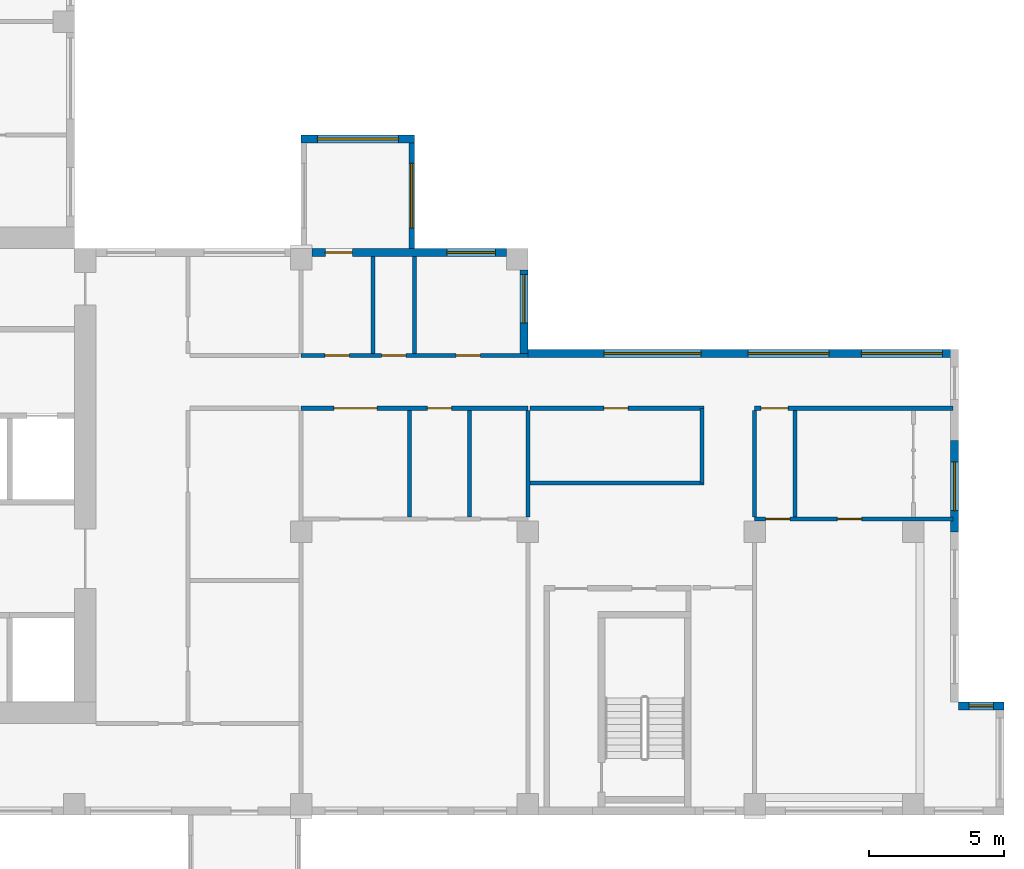
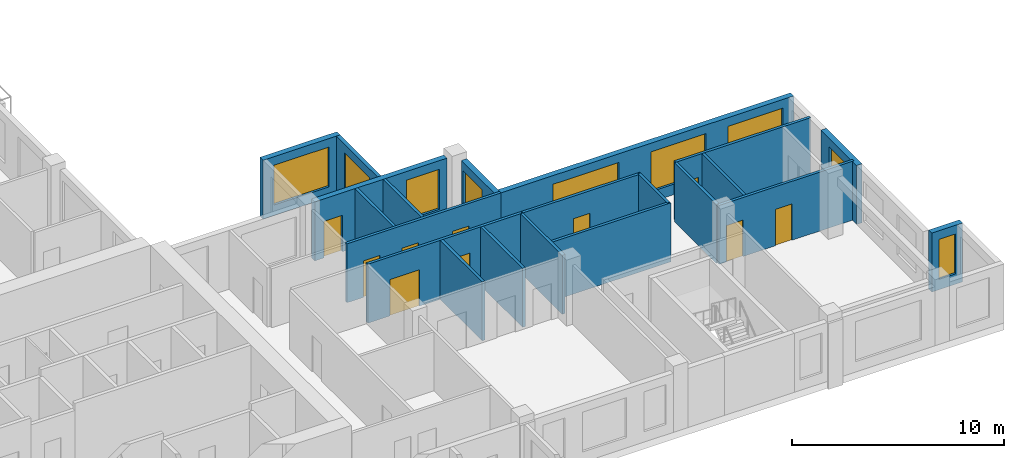
# One storey, part 7 of 14: 21 walls, 10 doors, 9 windows, 19 openings.
"""IFC4 building model written with IfcOpenShell, lengths in metres."""

from ifc_helpers import new_model, si_unit, direction, frame, frame_2d, origin, place, context, subcontext, project, spatial, rectangle, extrude, source, transform, mapped, material, layer, layer_set, type_object, element, fill, save


model = new_model("IFC4")

# Units and contexts
model_context = context("Model", 3, precision=1e-05, world=origin(), true_north=direction((0.0, 1.0)))
body_context = subcontext(model_context, "Body", "Model", "MODEL_VIEW")
ifc_project = project(units=[si_unit("LENGTHUNIT", "METRE"), si_unit("AREAUNIT", "SQUARE_METRE"), si_unit("VOLUMEUNIT", "CUBIC_METRE"), si_unit("PLANEANGLEUNIT", "RADIAN"), si_unit("MASSUNIT", "GRAM", prefix="KILO")], contexts=[model_context])

# Site, building, storey
site_placement = place(None, origin())
site = spatial("IfcSite", under=ifc_project, at=site_placement, CompositionType="ELEMENT")
building_placement = place(site_placement, origin())
building = spatial("IfcBuilding", under=site, at=building_placement, Name="Aurelian Terraces", CompositionType="ELEMENT")
storey_placement = place(building_placement, frame((0.0, 0.0, 231.0)))
storey = spatial("IfcBuildingStorey", under=building, at=storey_placement, Name="L52", CompositionType="ELEMENT", Elevation=231.0)

# Wall, opening, window
ifc_material_1 = material(Name="Terracotta rainscreen cladding", Category="masonry")
ifc_layer_1 = layer(ifc_material_1, 0.3)
ifc_layer_set_1 = layer_set([ifc_layer_1], Name="EW-300")
wall_type_1 = type_object("IfcWallType", Name="EW-300", PredefinedType="STANDARD", material=ifc_layer_set_1)
shared_shape_1 = source(origin(), body_context, "Body", "SweptSolid", [
    extrude(rectangle(XDim=1.68, YDim=0.3, at=frame_2d((0.84, 0.0))), origin(), (0.0, 0.0, 1.0), 3.4),
])
wall_1_placement = place(storey_placement, frame((55.44, 4.05, 0.0), z_axis=(0.0, 0.0, 1.0), x_axis=(-1.0, 0.0, 0.0)))
wall_1 = element("IfcWall", 1, at=wall_1_placement, inside=storey, type_object=wall_type_1, Name="External wall L52 F03.10", PredefinedType="STANDARD", context=body_context, shape_type="MappedRepresentation", body=[
    mapped(shared_shape_1, transform((0.0, 0.0, 0.0), scale=1.0)),
])
shared_shape_2 = source(origin(), body_context, "Body", "SweptSolid", [
    extrude(rectangle(XDim=0.9, YDim=2.3, at=frame_2d((0.45, 1.15))), frame((0.0, 0.16, 0.0), z_axis=(0.0, -1.0, 0.0), x_axis=(1.0, 0.0, 0.0)), (0.0, 0.0, 1.0), 0.32),
])
opening_1_placement = place(wall_1_placement, frame((0.39, 0.0, 0.6)))
opening_1 = element("IfcOpeningElement", 2, at=opening_1_placement, cuts=wall_1, Name="Opening W0923", PredefinedType="OPENING", context=body_context, shape_type="MappedRepresentation", body=[
    mapped(shared_shape_2, transform((0.0, 0.0, 0.0), scale=1.0)),
])
ifc_material_2 = material(Name="Clear glazing", Category="glass")
window_type_1 = type_object("IfcWindowType", Name="W-900x2300", PartitioningType="SINGLE_PANEL", PredefinedType="WINDOW", material=ifc_material_2)
shared_shape_3 = source(origin(), body_context, "Body", "SweptSolid", [
    extrude(rectangle(XDim=0.9, YDim=2.3, at=frame_2d((0.45, 1.15))), frame((0.0, 0.03, 0.0), z_axis=(0.0, -1.0, 0.0), x_axis=(1.0, 0.0, 0.0)), (0.0, 0.0, 1.0), 0.06),
])
window_1_placement = place(opening_1_placement, origin())
window_1 = element("IfcWindow", 3, at=window_1_placement, inside=storey, type_object=window_type_1, Name="Window L52 L52-F03-10-P0", OverallHeight=2.3, OverallWidth=0.9, PartitioningType="SINGLE_PANEL", PredefinedType="WINDOW", context=body_context, shape_type="MappedRepresentation", body=[
    mapped(shared_shape_3, transform((0.0, 0.0, 0.0), scale=1.0)),
])
fill(opening_1, window_1)

ifc_material_3 = material(Name="Concrete fc' 40 MPa", Category="concrete")
ifc_layer_2 = layer(ifc_material_3, 0.2)
ifc_layer_set_2 = layer_set([ifc_layer_2], Name="BOX BEARING WALL 200")
wall_type_2 = type_object("IfcWallType", Name="BOX BEARING WALL 200", PredefinedType="SOLIDWALL", material=ifc_layer_set_2)
shared_shape_4 = source(origin(), body_context, "Body", "SweptSolid", [
    extrude(rectangle(XDim=3.9, YDim=0.2, at=frame_2d((1.95, 0.0))), origin(), (0.0, 0.0, 1.0), 3.39),
])
wall_2_placement = place(storey_placement, frame((33.5, 21.0, 0.0), z_axis=(0.0, 0.0, 1.0), x_axis=(0.0, 1.0, 0.0)))
wall_2 = element("IfcWall", 4, at=wall_2_placement, inside=storey, type_object=wall_type_2, Name="Box return L52 J77.1", PredefinedType="SOLIDWALL", context=body_context, shape_type="MappedRepresentation", body=[
    mapped(shared_shape_4, transform((0.0, 0.0, 0.0), scale=1.0)),
])
shared_shape_5 = source(origin(), body_context, "Body", "SweptSolid", [
    extrude(rectangle(XDim=2.4, YDim=2.3, at=frame_2d((1.2, 1.15))), frame((0.0, 0.11, 0.0), z_axis=(0.0, -1.0, 0.0), x_axis=(1.0, 0.0, 0.0)), (0.0, 0.0, 1.0), 0.22),
])
opening_2_placement = place(wall_2_placement, frame((0.75, 0.0, 0.6)))
opening_2 = element("IfcOpeningElement", 5, at=opening_2_placement, cuts=wall_2, Name="Opening W2423", PredefinedType="OPENING", context=body_context, shape_type="MappedRepresentation", body=[
    mapped(shared_shape_5, transform((0.0, 0.0, 0.0), scale=1.0)),
])
window_type_2 = type_object("IfcWindowType", Name="W-2400x2300", PartitioningType="SINGLE_PANEL", PredefinedType="WINDOW", material=ifc_material_2)
shared_shape_6 = source(origin(), body_context, "Body", "SweptSolid", [
    extrude(rectangle(XDim=2.4, YDim=2.3, at=frame_2d((1.2, 1.15))), frame((0.0, 0.03, 0.0), z_axis=(0.0, -1.0, 0.0), x_axis=(1.0, 0.0, 0.0)), (0.0, 0.0, 1.0), 0.06),
])
window_2_placement = place(opening_2_placement, origin())
window_2 = element("IfcWindow", 6, at=window_2_placement, inside=storey, type_object=window_type_2, Name="Window L52 J77-S1", OverallHeight=2.3, OverallWidth=2.4, PartitioningType="SINGLE_PANEL", PredefinedType="WINDOW", context=body_context, shape_type="MappedRepresentation", body=[
    mapped(shared_shape_6, transform((0.0, 0.0, 0.0), scale=1.0)),
])
fill(opening_2, window_2)

ifc_layer_3 = layer(ifc_material_3, 0.3)
ifc_layer_set_3 = layer_set([ifc_layer_3], Name="BOX BEARING WALL 300")
wall_type_3 = type_object("IfcWallType", Name="BOX BEARING WALL 300", PredefinedType="SOLIDWALL", material=ifc_layer_set_3)
shared_shape_7 = source(origin(), body_context, "Body", "SweptSolid", [
    extrude(rectangle(XDim=4.2, YDim=0.3, at=frame_2d((2.1, 0.0))), origin(), (0.0, 0.0, 1.0), 3.39),
])
wall_3_placement = place(storey_placement, frame((33.6, 25.05, 0.0), z_axis=(0.0, 0.0, 1.0), x_axis=(-1.0, 0.0, 0.0)))
wall_3 = element("IfcWall", 7, at=wall_3_placement, inside=storey, type_object=wall_type_3, Name="Box wall L52 J77", PredefinedType="SOLIDWALL", context=body_context, shape_type="MappedRepresentation", body=[
    mapped(shared_shape_7, transform((0.0, 0.0, 0.0), scale=1.0)),
])
shared_shape_8 = source(origin(), body_context, "Body", "SweptSolid", [
    extrude(rectangle(XDim=3.0, YDim=2.3, at=frame_2d((1.5, 1.15))), frame((0.0, 0.16, 0.0), z_axis=(0.0, -1.0, 0.0), x_axis=(1.0, 0.0, 0.0)), (0.0, 0.0, 1.0), 0.32),
])
opening_3_placement = place(wall_3_placement, frame((0.6, 0.0, 0.6)))
opening_3 = element("IfcOpeningElement", 8, at=opening_3_placement, cuts=wall_3, Name="Opening W3023", PredefinedType="OPENING", context=body_context, shape_type="MappedRepresentation", body=[
    mapped(shared_shape_8, transform((0.0, 0.0, 0.0), scale=1.0)),
])
window_type_3 = type_object("IfcWindowType", Name="W-3000x2300", PartitioningType="SINGLE_PANEL", PredefinedType="WINDOW", material=ifc_material_2)
shared_shape_9 = source(origin(), body_context, "Body", "SweptSolid", [
    extrude(rectangle(XDim=3.0, YDim=2.3, at=frame_2d((1.5, 1.15))), frame((0.0, 0.03, 0.0), z_axis=(0.0, -1.0, 0.0), x_axis=(1.0, 0.0, 0.0)), (0.0, 0.0, 1.0), 0.06),
])
window_3_placement = place(opening_3_placement, origin())
window_3 = element("IfcWindow", 9, at=window_3_placement, inside=storey, type_object=window_type_3, Name="Window L52 J77-F1", OverallHeight=2.3, OverallWidth=3.0, PartitioningType="SINGLE_PANEL", PredefinedType="WINDOW", context=body_context, shape_type="MappedRepresentation", body=[
    mapped(shared_shape_9, transform((0.0, 0.0, 0.0), scale=1.0)),
])
fill(opening_3, window_3)

shared_shape_10 = source(origin(), body_context, "Body", "SweptSolid", [
    extrude(rectangle(XDim=3.375, YDim=0.3, at=frame_2d((1.6875, 0.0))), origin(), (0.0, 0.0, 1.0), 3.4),
])
wall_4_placement = place(storey_placement, frame((53.61, 10.5, 0.0), z_axis=(0.0, 0.0, 1.0), x_axis=(0.0, 1.0, 0.0)))
wall_4 = element("IfcWall", 10, at=wall_4_placement, inside=storey, type_object=wall_type_1, Name="External wall L52 F04.12", PredefinedType="STANDARD", context=body_context, shape_type="MappedRepresentation", body=[
    mapped(shared_shape_10, transform((0.0, 0.0, 0.0), scale=1.0)),
])
shared_shape_11 = source(origin(), body_context, "Body", "SweptSolid", [
    extrude(rectangle(XDim=1.8, YDim=2.3, at=frame_2d((0.9, 1.15))), frame((0.0, 0.16, 0.0), z_axis=(0.0, -1.0, 0.0), x_axis=(1.0, 0.0, 0.0)), (0.0, 0.0, 1.0), 0.32),
])
opening_4_placement = place(wall_4_placement, frame((0.7875, 0.0, 0.6)))
opening_4 = element("IfcOpeningElement", 11, at=opening_4_placement, cuts=wall_4, Name="Opening W1823", PredefinedType="OPENING", context=body_context, shape_type="MappedRepresentation", body=[
    mapped(shared_shape_11, transform((0.0, 0.0, 0.0), scale=1.0)),
])
window_type_4 = type_object("IfcWindowType", Name="W-1800x2300", PartitioningType="SINGLE_PANEL", PredefinedType="WINDOW", material=ifc_material_2)
shared_shape_12 = source(origin(), body_context, "Body", "SweptSolid", [
    extrude(rectangle(XDim=1.8, YDim=2.3, at=frame_2d((0.9, 1.15))), frame((0.0, 0.03, 0.0), z_axis=(0.0, -1.0, 0.0), x_axis=(1.0, 0.0, 0.0)), (0.0, 0.0, 1.0), 0.06),
])
window_4_placement = place(opening_4_placement, origin())
window_4 = element("IfcWindow", 12, at=window_4_placement, inside=storey, type_object=window_type_4, Name="Window L52 L52-F04-12-0", OverallHeight=2.3, OverallWidth=1.8, PartitioningType="SINGLE_PANEL", PredefinedType="WINDOW", context=body_context, shape_type="MappedRepresentation", body=[
    mapped(shared_shape_12, transform((0.0, 0.0, 0.0), scale=1.0)),
])
fill(opening_4, window_4)

# Wall, openings, windows
shared_shape_13 = source(origin(), body_context, "Body", "SweptSolid", [
    extrude(rectangle(XDim=15.96, YDim=0.3, at=frame_2d((7.98, 0.0))), origin(), (0.0, 0.0, 1.0), 3.4),
])
wall_5_placement = place(storey_placement, frame((53.76, 17.1, 0.0), z_axis=(0.0, 0.0, 1.0), x_axis=(-1.0, 0.0, 0.0)))
wall_5 = element("IfcWall", 13, at=wall_5_placement, inside=storey, type_object=wall_type_1, Name="External wall L52 F05.14", PredefinedType="STANDARD", context=body_context, shape_type="MappedRepresentation", body=[
    mapped(shared_shape_13, transform((0.0, 0.0, 0.0), scale=1.0)),
])
opening_5_placement = place(wall_5_placement, frame((0.6, 0.0, 0.6)))
opening_5 = element("IfcOpeningElement", 14, at=opening_5_placement, cuts=wall_5, Name="Opening W3023", PredefinedType="OPENING", context=body_context, shape_type="MappedRepresentation", body=[
    mapped(shared_shape_8, transform((0.0, 0.0, 0.0), scale=1.0)),
])
opening_6_placement = place(wall_5_placement, frame((4.8, 0.0, 0.6)))
opening_6 = element("IfcOpeningElement", 15, at=opening_6_placement, cuts=wall_5, Name="Opening W3023", PredefinedType="OPENING", context=body_context, shape_type="MappedRepresentation", body=[
    mapped(shared_shape_8, transform((0.0, 0.0, 0.0), scale=1.0)),
])
shared_shape_14 = source(origin(), body_context, "Body", "SweptSolid", [
    extrude(rectangle(XDim=3.6, YDim=2.3, at=frame_2d((1.8, 1.15))), frame((0.0, 0.16, 0.0), z_axis=(0.0, -1.0, 0.0), x_axis=(1.0, 0.0, 0.0)), (0.0, 0.0, 1.0), 0.32),
])
opening_7_placement = place(wall_5_placement, frame((9.54, 0.0, 0.6)))
opening_7 = element("IfcOpeningElement", 16, at=opening_7_placement, cuts=wall_5, Name="Opening W3623", PredefinedType="OPENING", context=body_context, shape_type="MappedRepresentation", body=[
    mapped(shared_shape_14, transform((0.0, 0.0, 0.0), scale=1.0)),
])
window_type_5 = type_object("IfcWindowType", Name="W-3600x2300", PartitioningType="SINGLE_PANEL", PredefinedType="WINDOW", material=ifc_material_2)
shared_shape_15 = source(origin(), body_context, "Body", "SweptSolid", [
    extrude(rectangle(XDim=3.6, YDim=2.3, at=frame_2d((1.8, 1.15))), frame((0.0, 0.03, 0.0), z_axis=(0.0, -1.0, 0.0), x_axis=(1.0, 0.0, 0.0)), (0.0, 0.0, 1.0), 0.06),
])
window_5_placement = place(opening_7_placement, origin())
window_5 = element("IfcWindow", 17, at=window_5_placement, inside=storey, type_object=window_type_5, Name="Window L52 L52-F05-14-2", OverallHeight=2.3, OverallWidth=3.6, PartitioningType="SINGLE_PANEL", PredefinedType="WINDOW", context=body_context, shape_type="MappedRepresentation", body=[
    mapped(shared_shape_15, transform((0.0, 0.0, 0.0), scale=1.0)),
])
fill(opening_7, window_5)
window_6_placement = place(opening_5_placement, origin())
window_6 = element("IfcWindow", 18, at=window_6_placement, inside=storey, type_object=window_type_3, Name="Window L52 L52-F05-14-0", OverallHeight=2.3, OverallWidth=3.0, PartitioningType="SINGLE_PANEL", PredefinedType="WINDOW", context=body_context, shape_type="MappedRepresentation", body=[
    mapped(shared_shape_9, transform((0.0, 0.0, 0.0), scale=1.0)),
])
fill(opening_5, window_6)
window_7_placement = place(opening_6_placement, origin())
window_7 = element("IfcWindow", 19, at=window_7_placement, inside=storey, type_object=window_type_3, Name="Window L52 L52-F05-14-1", OverallHeight=2.3, OverallWidth=3.0, PartitioningType="SINGLE_PANEL", PredefinedType="WINDOW", context=body_context, shape_type="MappedRepresentation", body=[
    mapped(shared_shape_9, transform((0.0, 0.0, 0.0), scale=1.0)),
])
fill(opening_6, window_7)

# Wall, openings, window, door
shared_shape_16 = source(origin(), body_context, "Body", "SweptSolid", [
    extrude(rectangle(XDim=7.2, YDim=0.3, at=frame_2d((3.6, 0.0))), origin(), (0.0, 0.0, 1.0), 3.4),
])
wall_6_placement = place(storey_placement, frame((37.0, 20.85, 0.0), z_axis=(0.0, 0.0, 1.0), x_axis=(-1.0, 0.0, 0.0)))
wall_6 = element("IfcWall", 20, at=wall_6_placement, inside=storey, type_object=wall_type_1, Name="External wall L52 F07.16", PredefinedType="STANDARD", context=body_context, shape_type="MappedRepresentation", body=[
    mapped(shared_shape_16, transform((0.0, 0.0, 0.0), scale=1.0)),
])
opening_8_placement = place(wall_6_placement, frame((0.4, 0.0, 0.6)))
opening_8 = element("IfcOpeningElement", 21, at=opening_8_placement, cuts=wall_6, Name="Opening W1823", PredefinedType="OPENING", context=body_context, shape_type="MappedRepresentation", body=[
    mapped(shared_shape_11, transform((0.0, 0.0, 0.0), scale=1.0)),
])
shared_shape_17 = source(origin(), body_context, "Body", "SweptSolid", [
    extrude(rectangle(XDim=1.0, YDim=2.1, at=frame_2d((0.5, 1.05))), frame((0.0, 0.16, 0.0), z_axis=(0.0, -1.0, 0.0), x_axis=(1.0, 0.0, 0.0)), (0.0, 0.0, 1.0), 0.32),
])
opening_9_placement = place(wall_6_placement, frame((5.7, 0.0, 0.0)))
opening_9 = element("IfcOpeningElement", 22, at=opening_9_placement, cuts=wall_6, Name="Opening 852003", PredefinedType="OPENING", context=body_context, shape_type="MappedRepresentation", body=[
    mapped(shared_shape_17, transform((0.0, 0.0, 0.0), scale=1.0)),
])
window_8_placement = place(opening_8_placement, origin())
window_8 = element("IfcWindow", 23, at=window_8_placement, inside=storey, type_object=window_type_4, Name="Window L52 L52-F07-16-0", OverallHeight=2.3, OverallWidth=1.8, PartitioningType="SINGLE_PANEL", PredefinedType="WINDOW", context=body_context, shape_type="MappedRepresentation", body=[
    mapped(shared_shape_12, transform((0.0, 0.0, 0.0), scale=1.0)),
])
fill(opening_8, window_8)
ifc_material_4 = material(Name="Timber door leaf", Category="wood")
door_type_1 = type_object("IfcDoorType", Name="Room door 1000x2100 left", OperationType="SINGLE_SWING_LEFT", PredefinedType="DOOR", material=ifc_material_4)
shared_shape_18 = source(origin(), body_context, "Body", "SweptSolid", [
    extrude(rectangle(XDim=1.0, YDim=2.1, at=frame_2d((0.5, 1.05))), frame((0.0, 0.025, 0.0), z_axis=(0.0, -1.0, 0.0), x_axis=(1.0, 0.0, 0.0)), (0.0, 0.0, 1.0), 0.05),
])
door_1_placement = place(opening_9_placement, origin())
door_1 = element("IfcDoor", 24, at=door_1_placement, inside=storey, type_object=door_type_1, Name="Door 852003", OperationType="SINGLE_SWING_LEFT", OverallHeight=2.1, OverallWidth=1.0, PredefinedType="DOOR", context=body_context, shape_type="MappedRepresentation", body=[
    mapped(shared_shape_18, transform((0.0, 0.0, 0.0), scale=1.0)),
])
fill(opening_9, door_1)

# Wall, opening, window
shared_shape_19 = source(origin(), body_context, "Body", "SweptSolid", [
    extrude(rectangle(XDim=3.1, YDim=0.3, at=frame_2d((1.55, 0.0))), origin(), (0.0, 0.0, 1.0), 3.4),
])
wall_7_placement = place(storey_placement, frame((37.65, 17.1, 0.0), z_axis=(0.0, 0.0, 1.0), x_axis=(0.0, 1.0, 0.0)))
wall_7 = element("IfcWall", 25, at=wall_7_placement, inside=storey, type_object=wall_type_1, Name="External wall L52 F06.15", PredefinedType="STANDARD", context=body_context, shape_type="MappedRepresentation", body=[
    mapped(shared_shape_19, transform((0.0, 0.0, 0.0), scale=1.0)),
])
opening_10_placement = place(wall_7_placement, frame((1.125, 0.0, 0.6)))
opening_10 = element("IfcOpeningElement", 26, at=opening_10_placement, cuts=wall_7, Name="Opening W1823", PredefinedType="OPENING", context=body_context, shape_type="MappedRepresentation", body=[
    mapped(shared_shape_11, transform((0.0, 0.0, 0.0), scale=1.0)),
])
window_9_placement = place(opening_10_placement, origin())
window_9 = element("IfcWindow", 27, at=window_9_placement, inside=storey, type_object=window_type_4, Name="Window L52 L52-F06-15-0", OverallHeight=2.3, OverallWidth=1.8, PartitioningType="SINGLE_PANEL", PredefinedType="WINDOW", context=body_context, shape_type="MappedRepresentation", body=[
    mapped(shared_shape_12, transform((0.0, 0.0, 0.0), scale=1.0)),
])
fill(opening_10, window_9)

# Wall
ifc_material_5 = material(Name="Gypsum board on steel studs", Category="steel")
ifc_layer_4 = layer(ifc_material_5, 0.15)
ifc_layer_set_4 = layer_set([ifc_layer_4], Name="Partition 150")
wall_type_4 = type_object("IfcWallType", Name="Partition 150", PredefinedType="PARTITIONING", material=ifc_layer_set_4)
shared_shape_20 = source(origin(), body_context, "Body", "SweptSolid", [
    extrude(rectangle(XDim=6.45, YDim=0.15, at=frame_2d((3.225, 0.0))), origin(), (0.0, 0.0, 1.0), 3.4),
])
wall_8_placement = place(storey_placement, frame((37.875, 12.3, 0.0), z_axis=(0.0, 0.0, 1.0), x_axis=(1.0, 0.0, 0.0)))
element("IfcWall", 28, at=wall_8_placement, inside=storey, type_object=wall_type_4, Name="Partition", PredefinedType="PARTITIONING", context=body_context, shape_type="MappedRepresentation", body=[
    mapped(shared_shape_20, transform((0.0, 0.0, 0.0), scale=1.0)),
])

# Wall, opening, door
ifc_layer_5 = layer(ifc_material_5, 0.15)
ifc_layer_set_5 = layer_set([ifc_layer_5], Name="Fire partition 150")
wall_type_5 = type_object("IfcWallType", Name="Fire partition 150", PredefinedType="PARTITIONING", material=ifc_layer_set_5)
wall_9_placement = place(storey_placement, frame((44.325, 15.075, 0.0), z_axis=(0.0, 0.0, 1.0), x_axis=(-1.0, 0.0, 0.0)))
wall_9 = element("IfcWall", 29, at=wall_9_placement, inside=storey, type_object=wall_type_5, Name="Corridor wall", PredefinedType="PARTITIONING", context=body_context, shape_type="MappedRepresentation", body=[
    mapped(shared_shape_20, transform((0.0, 0.0, 0.0), scale=1.0)),
])
shared_shape_21 = source(origin(), body_context, "Body", "SweptSolid", [
    extrude(rectangle(XDim=0.9, YDim=2.1, at=frame_2d((0.45, 1.05))), frame((0.0, 0.085, 0.0), z_axis=(0.0, -1.0, 0.0), x_axis=(1.0, 0.0, 0.0)), (0.0, 0.0, 1.0), 0.17),
])
opening_11_placement = place(wall_9_placement, frame((2.8125, 0.0, 0.0)))
opening_11 = element("IfcOpeningElement", 30, at=opening_11_placement, cuts=wall_9, Name="Opening 752005", PredefinedType="OPENING", context=body_context, shape_type="MappedRepresentation", body=[
    mapped(shared_shape_21, transform((0.0, 0.0, 0.0), scale=1.0)),
])
door_type_2 = type_object("IfcDoorType", Name="Room door 900x2100 left", OperationType="SINGLE_SWING_LEFT", PredefinedType="DOOR", material=ifc_material_4)
shared_shape_22 = source(origin(), body_context, "Body", "SweptSolid", [
    extrude(rectangle(XDim=0.9, YDim=2.1, at=frame_2d((0.45, 1.05))), frame((0.0, 0.025, 0.0), z_axis=(0.0, -1.0, 0.0), x_axis=(1.0, 0.0, 0.0)), (0.0, 0.0, 1.0), 0.05),
])
door_2_placement = place(opening_11_placement, origin())
door_2 = element("IfcDoor", 31, at=door_2_placement, inside=storey, type_object=door_type_2, Name="Door 752005", OperationType="SINGLE_SWING_LEFT", OverallHeight=2.1, OverallWidth=0.9, PredefinedType="DOOR", context=body_context, shape_type="MappedRepresentation", body=[
    mapped(shared_shape_22, transform((0.0, 0.0, 0.0), scale=1.0)),
])
fill(opening_11, door_2)

# Walls
shared_shape_23 = source(origin(), body_context, "Body", "SweptSolid", [
    extrude(rectangle(XDim=3.6, YDim=0.15, at=frame_2d((1.8, 0.0))), origin(), (0.0, 0.0, 1.0), 3.4),
])
wall_10_placement = place(storey_placement, frame((32.067, 20.7, 0.0), z_axis=(0.0, 0.0, 1.0), x_axis=(0.0, -1.0, 0.0)))
element("IfcWall", 32, at=wall_10_placement, inside=storey, type_object=wall_type_4, Name="Partition", PredefinedType="PARTITIONING", context=body_context, shape_type="MappedRepresentation", body=[
    mapped(shared_shape_23, transform((0.0, 0.0, 0.0), scale=1.0)),
])
wall_11_placement = place(storey_placement, frame((33.6, 17.1, 0.0), z_axis=(0.0, 0.0, 1.0), x_axis=(0.0, 1.0, 0.0)))
element("IfcWall", 33, at=wall_11_placement, inside=storey, type_object=wall_type_5, Name="Party wall", PredefinedType="PARTITIONING", context=body_context, shape_type="MappedRepresentation", body=[
    mapped(shared_shape_23, transform((0.0, 0.0, 0.0), scale=1.0)),
])

# Wall, openings, doors
shared_shape_24 = source(origin(), body_context, "Body", "SweptSolid", [
    extrude(rectangle(XDim=8.4, YDim=0.15, at=frame_2d((4.2, 0.0))), origin(), (0.0, 0.0, 1.0), 3.4),
])
wall_12_placement = place(storey_placement, frame((37.8, 15.075, 0.0), z_axis=(0.0, 0.0, 1.0), x_axis=(-1.0, 0.0, 0.0)))
wall_12 = element("IfcWall", 34, at=wall_12_placement, inside=storey, type_object=wall_type_5, Name="Corridor wall", PredefinedType="PARTITIONING", context=body_context, shape_type="MappedRepresentation", body=[
    mapped(shared_shape_24, transform((0.0, 0.0, 0.0), scale=1.0)),
])
shared_shape_25 = source(origin(), body_context, "Body", "SweptSolid", [
    extrude(rectangle(XDim=1.6, YDim=2.1, at=frame_2d((0.8, 1.05))), frame((0.0, 0.085, 0.0), z_axis=(0.0, -1.0, 0.0), x_axis=(1.0, 0.0, 0.0)), (0.0, 0.0, 1.0), 0.17),
])
opening_12_placement = place(wall_12_placement, frame((5.5888, 0.0, 0.0)))
opening_12 = element("IfcOpeningElement", 35, at=opening_12_placement, cuts=wall_12, Name="Opening 752007", PredefinedType="OPENING", context=body_context, shape_type="MappedRepresentation", body=[
    mapped(shared_shape_25, transform((0.0, 0.0, 0.0), scale=1.0)),
])
opening_13_placement = place(wall_12_placement, frame((2.8224, 0.0, 0.0)))
opening_13 = element("IfcOpeningElement", 36, at=opening_13_placement, cuts=wall_12, Name="Opening 752011", PredefinedType="OPENING", context=body_context, shape_type="MappedRepresentation", body=[
    mapped(shared_shape_21, transform((0.0, 0.0, 0.0), scale=1.0)),
])
ifc_material_6 = material(Name="Steel door leaf", Category="steel")
door_type_3 = type_object("IfcDoorType", Name="Entrance fire door 900x2100 right", OperationType="SINGLE_SWING_RIGHT", PredefinedType="DOOR", material=ifc_material_6)
door_3_placement = place(opening_13_placement, origin())
door_3 = element("IfcDoor", 37, at=door_3_placement, inside=storey, type_object=door_type_3, Name="Door 752011", OperationType="SINGLE_SWING_RIGHT", OverallHeight=2.1, OverallWidth=0.9, PredefinedType="DOOR", context=body_context, shape_type="MappedRepresentation", body=[
    mapped(shared_shape_22, transform((0.0, 0.0, 0.0), scale=1.0)),
])
fill(opening_13, door_3)
door_type_4 = type_object("IfcDoorType", Name="Entrance fire door 1600x2100 right", OperationType="SINGLE_SWING_RIGHT", PredefinedType="DOOR", material=ifc_material_6)
shared_shape_26 = source(origin(), body_context, "Body", "SweptSolid", [
    extrude(rectangle(XDim=1.6, YDim=2.1, at=frame_2d((0.8, 1.05))), frame((0.0, 0.025, 0.0), z_axis=(0.0, -1.0, 0.0), x_axis=(1.0, 0.0, 0.0)), (0.0, 0.0, 1.0), 0.05),
])
door_4_placement = place(opening_12_placement, origin())
door_4 = element("IfcDoor", 38, at=door_4_placement, inside=storey, type_object=door_type_4, Name="Door 752007", OperationType="SINGLE_SWING_RIGHT", OverallHeight=2.1, OverallWidth=1.6, PredefinedType="DOOR", context=body_context, shape_type="MappedRepresentation", body=[
    mapped(shared_shape_26, transform((0.0, 0.0, 0.0), scale=1.0)),
])
fill(opening_12, door_4)

wall_13_placement = place(storey_placement, frame((29.4, 17.025, 0.0), z_axis=(0.0, 0.0, 1.0), x_axis=(1.0, 0.0, 0.0)))
wall_13 = element("IfcWall", 39, at=wall_13_placement, inside=storey, type_object=wall_type_5, Name="Corridor wall", PredefinedType="PARTITIONING", context=body_context, shape_type="MappedRepresentation", body=[
    mapped(shared_shape_24, transform((0.0, 0.0, 0.0), scale=1.0)),
])
opening_14_placement = place(wall_13_placement, frame((0.8835, 0.0, 0.0)))
opening_14 = element("IfcOpeningElement", 40, at=opening_14_placement, cuts=wall_13, Name="Opening 752015", PredefinedType="OPENING", context=body_context, shape_type="MappedRepresentation", body=[
    mapped(shared_shape_21, transform((0.0, 0.0, 0.0), scale=1.0)),
])
opening_15_placement = place(wall_13_placement, frame((2.9835, 0.0, 0.0)))
opening_15 = element("IfcOpeningElement", 41, at=opening_15_placement, cuts=wall_13, Name="Opening 752016", PredefinedType="OPENING", context=body_context, shape_type="MappedRepresentation", body=[
    mapped(shared_shape_21, transform((0.0, 0.0, 0.0), scale=1.0)),
])
opening_16_placement = place(wall_13_placement, frame((5.7375, 0.0, 0.0)))
opening_16 = element("IfcOpeningElement", 42, at=opening_16_placement, cuts=wall_13, Name="Opening 752031", PredefinedType="OPENING", context=body_context, shape_type="MappedRepresentation", body=[
    mapped(shared_shape_21, transform((0.0, 0.0, 0.0), scale=1.0)),
])
door_5_placement = place(opening_14_placement, origin())
door_5 = element("IfcDoor", 43, at=door_5_placement, inside=storey, type_object=door_type_3, Name="Door 752015", OperationType="SINGLE_SWING_RIGHT", OverallHeight=2.1, OverallWidth=0.9, PredefinedType="DOOR", context=body_context, shape_type="MappedRepresentation", body=[
    mapped(shared_shape_22, transform((0.0, 0.0, 0.0), scale=1.0)),
])
fill(opening_14, door_5)
door_type_5 = type_object("IfcDoorType", Name="Entrance fire door 900x2100 left", OperationType="SINGLE_SWING_LEFT", PredefinedType="DOOR", material=ifc_material_6)
door_6_placement = place(opening_15_placement, origin())
door_6 = element("IfcDoor", 44, at=door_6_placement, inside=storey, type_object=door_type_5, Name="Door 752016", OperationType="SINGLE_SWING_LEFT", OverallHeight=2.1, OverallWidth=0.9, PredefinedType="DOOR", context=body_context, shape_type="MappedRepresentation", body=[
    mapped(shared_shape_22, transform((0.0, 0.0, 0.0), scale=1.0)),
])
fill(opening_15, door_6)
door_7_placement = place(opening_16_placement, origin())
door_7 = element("IfcDoor", 45, at=door_7_placement, inside=storey, type_object=door_type_2, Name="Door 752031", OperationType="SINGLE_SWING_LEFT", OverallHeight=2.1, OverallWidth=0.9, PredefinedType="DOOR", context=body_context, shape_type="MappedRepresentation", body=[
    mapped(shared_shape_22, transform((0.0, 0.0, 0.0), scale=1.0)),
])
fill(opening_16, door_7)

# Wall
shared_shape_27 = source(origin(), body_context, "Body", "SweptSolid", [
    extrude(rectangle(XDim=2.775, YDim=0.15, at=frame_2d((1.3875, 0.0))), origin(), (0.0, 0.0, 1.0), 3.4),
])
wall_14_placement = place(storey_placement, frame((44.25, 12.3, 0.0), z_axis=(0.0, 0.0, 1.0), x_axis=(0.0, 1.0, 0.0)))
element("IfcWall", 46, at=wall_14_placement, inside=storey, type_object=wall_type_4, Name="Partition", PredefinedType="PARTITIONING", context=body_context, shape_type="MappedRepresentation", body=[
    mapped(shared_shape_27, transform((0.0, 0.0, 0.0), scale=1.0)),
])

# Wall, openings, doors
shared_shape_28 = source(origin(), body_context, "Body", "SweptSolid", [
    extrude(rectangle(XDim=7.355, YDim=0.15, at=frame_2d((3.6775, 0.0))), origin(), (0.0, 0.0, 1.0), 3.4),
])
wall_15_placement = place(storey_placement, frame((53.555, 10.975, 0.0), z_axis=(0.0, 0.0, 1.0), x_axis=(-1.0, 0.0, 0.0)))
wall_15 = element("IfcWall", 47, at=wall_15_placement, inside=storey, type_object=wall_type_4, Name="Partition", PredefinedType="PARTITIONING", context=body_context, shape_type="MappedRepresentation", body=[
    mapped(shared_shape_28, transform((0.0, 0.0, 0.0), scale=1.0)),
])
opening_17_placement = place(wall_15_placement, frame((6.047, 0.0, 0.0)))
opening_17 = element("IfcOpeningElement", 48, at=opening_17_placement, cuts=wall_15, Name="Opening 752013", PredefinedType="OPENING", context=body_context, shape_type="MappedRepresentation", body=[
    mapped(shared_shape_21, transform((0.0, 0.0, 0.0), scale=1.0)),
])
opening_18_placement = place(wall_15_placement, frame((3.3899, 0.0, 0.0)))
opening_18 = element("IfcOpeningElement", 49, at=opening_18_placement, cuts=wall_15, Name="Opening 752014", PredefinedType="OPENING", context=body_context, shape_type="MappedRepresentation", body=[
    mapped(shared_shape_21, transform((0.0, 0.0, 0.0), scale=1.0)),
])
door_8_placement = place(opening_17_placement, origin())
door_8 = element("IfcDoor", 50, at=door_8_placement, inside=storey, type_object=door_type_2, Name="Door 752013", OperationType="SINGLE_SWING_LEFT", OverallHeight=2.1, OverallWidth=0.9, PredefinedType="DOOR", context=body_context, shape_type="MappedRepresentation", body=[
    mapped(shared_shape_22, transform((0.0, 0.0, 0.0), scale=1.0)),
])
fill(opening_17, door_8)
door_type_6 = type_object("IfcDoorType", Name="Room door 900x2100 right", OperationType="SINGLE_SWING_RIGHT", PredefinedType="DOOR", material=ifc_material_4)
door_9_placement = place(opening_18_placement, origin())
door_9 = element("IfcDoor", 51, at=door_9_placement, inside=storey, type_object=door_type_6, Name="Door 752014", OperationType="SINGLE_SWING_RIGHT", OverallHeight=2.1, OverallWidth=0.9, PredefinedType="DOOR", context=body_context, shape_type="MappedRepresentation", body=[
    mapped(shared_shape_22, transform((0.0, 0.0, 0.0), scale=1.0)),
])
fill(opening_18, door_9)

# Wall, opening, door
wall_16_placement = place(storey_placement, frame((53.555, 15.075, 0.0), z_axis=(0.0, 0.0, 1.0), x_axis=(-1.0, 0.0, 0.0)))
wall_16 = element("IfcWall", 52, at=wall_16_placement, inside=storey, type_object=wall_type_5, Name="Corridor wall", PredefinedType="PARTITIONING", context=body_context, shape_type="MappedRepresentation", body=[
    mapped(shared_shape_28, transform((0.0, 0.0, 0.0), scale=1.0)),
])
shared_shape_29 = source(origin(), body_context, "Body", "SweptSolid", [
    extrude(rectangle(XDim=1.0, YDim=2.1, at=frame_2d((0.5, 1.05))), frame((0.0, 0.085, 0.0), z_axis=(0.0, -1.0, 0.0), x_axis=(1.0, 0.0, 0.0)), (0.0, 0.0, 1.0), 0.17),
])
opening_19_placement = place(wall_16_placement, frame((6.11, 0.0, 0.0)))
opening_19 = element("IfcOpeningElement", 53, at=opening_19_placement, cuts=wall_16, Name="Opening 752012", PredefinedType="OPENING", context=body_context, shape_type="MappedRepresentation", body=[
    mapped(shared_shape_29, transform((0.0, 0.0, 0.0), scale=1.0)),
])
door_type_7 = type_object("IfcDoorType", Name="Entrance fire door 1000x2100 right", OperationType="SINGLE_SWING_RIGHT", PredefinedType="DOOR", material=ifc_material_6)
door_10_placement = place(opening_19_placement, origin())
door_10 = element("IfcDoor", 54, at=door_10_placement, inside=storey, type_object=door_type_7, Name="Door 752012", OperationType="SINGLE_SWING_RIGHT", OverallHeight=2.1, OverallWidth=1.0, PredefinedType="DOOR", context=body_context, shape_type="MappedRepresentation", body=[
    mapped(shared_shape_18, transform((0.0, 0.0, 0.0), scale=1.0)),
])
fill(opening_19, door_10)

# Walls
shared_shape_30 = source(origin(), body_context, "Body", "SweptSolid", [
    extrude(rectangle(XDim=3.95, YDim=0.15, at=frame_2d((1.975, 0.0))), origin(), (0.0, 0.0, 1.0), 3.4),
])
for number, where, z_axis, x_axis, name in (
    (55, (33.4224, 11.05, 0.0), (0.0, 0.0, 1.0), (0.0, 1.0, 0.0), "Partition"),
    (56, (35.6329, 11.05, 0.0), (0.0, 0.0, 1.0), (0.0, 1.0, 0.0), "Partition"),
):
    element("IfcWall", number, at=place(storey_placement, frame(where, z_axis=z_axis, x_axis=x_axis)), inside=storey, type_object=wall_type_4, Name=name, PredefinedType="PARTITIONING", context=body_context, shape_type="MappedRepresentation", body=[
        mapped(shared_shape_30, transform((0.0, 0.0, 0.0), scale=1.0)),
    ])
wall_17_placement = place(storey_placement, frame((37.8, 11.05, 0.0), z_axis=(0.0, 0.0, 1.0), x_axis=(0.0, 1.0, 0.0)))
element("IfcWall", 57, at=wall_17_placement, inside=storey, type_object=wall_type_5, Name="Party wall", PredefinedType="PARTITIONING", context=body_context, shape_type="MappedRepresentation", body=[
    mapped(shared_shape_30, transform((0.0, 0.0, 0.0), scale=1.0)),
])
wall_18_placement = place(storey_placement, frame((47.6901, 11.05, 0.0), z_axis=(0.0, 0.0, 1.0), x_axis=(0.0, 1.0, 0.0)))
element("IfcWall", 58, at=wall_18_placement, inside=storey, type_object=wall_type_4, Name="Partition", PredefinedType="PARTITIONING", context=body_context, shape_type="MappedRepresentation", body=[
    mapped(shared_shape_30, transform((0.0, 0.0, 0.0), scale=1.0)),
])
wall_19_placement = place(storey_placement, frame((46.2, 11.05, 0.0), z_axis=(0.0, 0.0, 1.0), x_axis=(0.0, 1.0, 0.0)))
element("IfcWall", 59, at=wall_19_placement, inside=storey, type_object=wall_type_5, Name="Party wall", PredefinedType="PARTITIONING", context=body_context, shape_type="MappedRepresentation", body=[
    mapped(shared_shape_30, transform((0.0, 0.0, 0.0), scale=1.0)),
])

save(model, "model.ifc")
